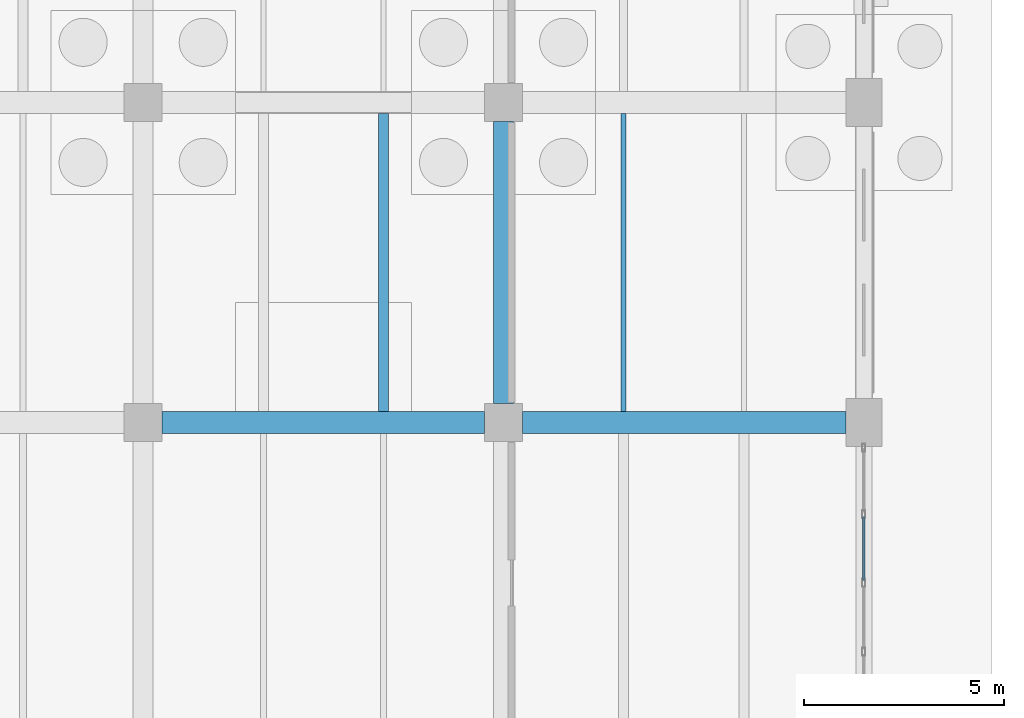
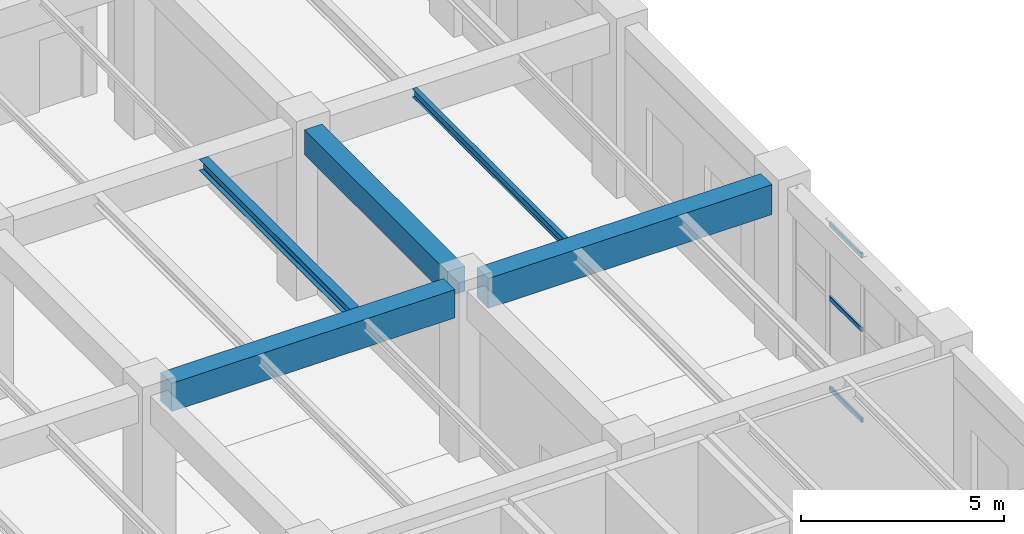
# One storey, part 75 of 121: 5 beams, 3 members, 1 element without a shape of its own.
"""IFC4 building model written with IfcOpenShell, lengths in metres."""

from ifc_helpers import new_model, si_unit, derived_unit, direction, frame, origin, origin_2d, place, context, subcontext, project, spatial, rectangle, hollow_rectangle, i_section, extrude, material, material_profile, profile_set, type_object, element, aggregate, save


model = new_model("IFC4")

# Units and contexts
model_context = context("Model", 3, precision=1e-05, world=origin(), true_north=direction((0.0, 1.0)))
body_context = subcontext(model_context, "Body", "Model", "MODEL_VIEW")
ifc_project = project(units=[si_unit("LENGTHUNIT", "METRE"), si_unit("AREAUNIT", "SQUARE_METRE"), si_unit("VOLUMEUNIT", "CUBIC_METRE"), si_unit("PLANEANGLEUNIT", "RADIAN"), si_unit("MASSUNIT", "GRAM", prefix="KILO"), derived_unit("THERMALTRANSMITTANCEUNIT", [(si_unit("MASSUNIT", "GRAM", prefix="KILO"), 1), (si_unit("TIMEUNIT", "SECOND"), -3), (si_unit("THERMODYNAMICTEMPERATUREUNIT", "KELVIN"), -1)])], contexts=[model_context])

# Site, building, storey
site_placement = place(None, origin())
site = spatial("IfcSite", under=ifc_project, at=site_placement, CompositionType="ELEMENT")
building_placement = place(site_placement, origin())
building = spatial("IfcBuilding", under=site, at=building_placement, Name="Zhenchuan Archway Interchange", CompositionType="ELEMENT")
storey_placement = place(building_placement, origin())
storey = spatial("IfcBuildingStorey", under=building, at=storey_placement, Name="L00", CompositionType="ELEMENT", Elevation=0.0)

# Beams
ifc_material_1 = material(Name="Concrete C40", Category="concrete")
ifc_material_profile_1 = material_profile(ifc_material_1, rectangle(XDim=0.5, YDim=0.75, at=origin_2d()), Name="RC 500x750")
ifc_profile_set_1 = profile_set([ifc_material_profile_1], Name="Concrete C40")
beam_type_1 = type_object("IfcBeamType", Name="BM_RC_500x750", PredefinedType="BEAM", material=ifc_profile_set_1)
beam_1_placement = place(storey_placement, frame((162.0, 72.47509765625, 4.705078125), z_axis=(0.0, 1.0, 0.0), x_axis=(-1.0, 0.0, 0.0)))
element("IfcBeam", 1, at=beam_1_placement, inside=storey, type_object=beam_type_1, Name="Beam 19:K-L (L00)", PredefinedType="BEAM", context=body_context, shape_type="SweptSolid", body=[
    extrude(rectangle(XDim=0.5, YDim=0.75, at=origin_2d()), origin(), (0.0, 0.0, 1.0), 7.0498046875),
])
ifc_material_profile_2 = material_profile(ifc_material_1, rectangle(XDim=0.550048828125, YDim=0.85009765625, at=origin_2d()), Name="RC 550x850")
ifc_profile_set_2 = profile_set([ifc_material_profile_2], Name="Concrete C40")
beam_type_2 = type_object("IfcBeamType", Name="BM_RC_550x850", PredefinedType="BEAM", material=ifc_profile_set_2)
beam_2_placement = place(storey_placement, frame((153.47509765625, 72.0, 4.655029296875), z_axis=(1.0, 0.0, 0.0), x_axis=(0.0, 1.0, 0.0)))
element("IfcBeam", 2, at=beam_2_placement, inside=storey, type_object=beam_type_2, Name="Beam K:18-19 (L00)", PredefinedType="BEAM", context=body_context, shape_type="SweptSolid", body=[
    extrude(rectangle(XDim=0.550048828125, YDim=0.85009765625, at=origin_2d()), origin(), (0.0, 0.0, 1.0), 8.0498046875),
])
ifc_material_profile_3 = material_profile(ifc_material_1, rectangle(XDim=0.550048828125, YDim=0.89990234375, at=origin_2d()), Name="RC 550x900")
ifc_profile_set_3 = profile_set([ifc_material_profile_3], Name="Concrete C40")
beam_type_3 = type_object("IfcBeamType", Name="BM_RC_550x900", PredefinedType="BEAM", material=ifc_profile_set_3)
beam_3_placement = place(storey_placement, frame((162.47509765625, 72.0, 4.6298828125), z_axis=(1.0, 0.0, 0.0), x_axis=(0.0, 1.0, 0.0)))
element("IfcBeam", 3, at=beam_3_placement, inside=storey, type_object=beam_type_3, Name="Beam K:19-20 (L00)", PredefinedType="BEAM", context=body_context, shape_type="SweptSolid", body=[
    extrude(rectangle(XDim=0.550048828125, YDim=0.89990234375, at=origin_2d()), origin(), (0.0, 0.0, 1.0), 8.074951171875),
])

# Curtain wall, members
ifc_material_2 = material(Name="Anodised Aluminium", Category="aluminium")
curtain_wall_type = type_object("IfcCurtainWallType", Name="CW_UNIT_3", PredefinedType="NOTDEFINED", material=ifc_material_2)
curtain_wall_placement = place(storey_placement, origin())
curtain_wall = element("IfcCurtainWall", 4, at=curtain_wall_placement, inside=storey, type_object=curtain_wall_type, Name="Unitised curtain wall CW:L00:014", PredefinedType="NOTDEFINED")
ifc_material_profile_4 = material_profile(ifc_material_2, hollow_rectangle(XDim=0.06005859375, YDim=0.139892578125, WallThickness=0.00341796875, InnerFilletRadius=0.00341796875, OuterFilletRadius=0.007080078125, at=origin_2d()), Name="ALU 140x60x3.5")
ifc_profile_set_4 = profile_set([ifc_material_profile_4], Name="Anodised Aluminium")
member_type = type_object("IfcMemberType", Name="CW_TRN_140", PredefinedType="USERDEFINED", material=ifc_profile_set_4)
member_1_placement = place(storey_placement, frame((171.0, 69.656005859375, 0.06005859375), z_axis=(0.0, -1.0, 0.0), x_axis=(1.0, 0.0, 0.0)))
member_1 = element("IfcMember", 5, at=member_1_placement, type_object=member_type, Name="CW:L00:014 transom 1-1", ObjectType="TRANSOM", PredefinedType="USERDEFINED", context=body_context, shape_type="SweptSolid", body=[
    extrude(hollow_rectangle(XDim=0.06005859375, YDim=0.139892578125, WallThickness=0.00341796875, InnerFilletRadius=0.00341796875, OuterFilletRadius=0.007080078125, at=origin_2d()), origin(), (0.0, 0.0, 1.0), 1.595947265625),
])
member_2_placement = place(storey_placement, frame((171.0, 69.656005859375, 2.782958984375), z_axis=(0.0, -1.0, 0.0), x_axis=(1.0, 0.0, 0.0)))
member_2 = element("IfcMember", 6, at=member_2_placement, type_object=member_type, Name="CW:L00:014 transom 1-2", ObjectType="TRANSOM", PredefinedType="USERDEFINED", context=body_context, shape_type="SweptSolid", body=[
    extrude(hollow_rectangle(XDim=0.06005859375, YDim=0.139892578125, WallThickness=0.00341796875, InnerFilletRadius=0.00341796875, OuterFilletRadius=0.007080078125, at=origin_2d()), origin(), (0.0, 0.0, 1.0), 1.595947265625),
])
member_3_placement = place(storey_placement, frame((171.0, 69.656005859375, 5.0), z_axis=(0.0, -1.0, 0.0), x_axis=(1.0, 0.0, 0.0)))
member_3 = element("IfcMember", 7, at=member_3_placement, type_object=member_type, Name="CW:L00:014 transom 1-3", ObjectType="TRANSOM", PredefinedType="USERDEFINED", context=body_context, shape_type="SweptSolid", body=[
    extrude(hollow_rectangle(XDim=0.06005859375, YDim=0.139892578125, WallThickness=0.00341796875, InnerFilletRadius=0.00341796875, OuterFilletRadius=0.007080078125, at=origin_2d()), origin(), (0.0, 0.0, 1.0), 1.595947265625),
])
aggregate(curtain_wall, [member_1, member_2, member_3])

# Beams
ifc_material_3 = material(Name="Steel Q355", Category="steel")
ifc_material_profile_5 = material_profile(ifc_material_3, i_section(OverallWidth=0.25, OverallDepth=0.340087890625, WebThickness=0.009033203125, FlangeThickness=0.013916015625, FilletRadius=0.01806640625, at=origin_2d()), Name="HM 340x250")
ifc_profile_set_5 = profile_set([ifc_material_profile_5], Name="Steel Q355")
beam_type_4 = type_object("IfcBeamType", Name="JST_STL_HM340", PredefinedType="JOIST", material=ifc_profile_set_5)
beam_4_placement = place(storey_placement, frame((159.0, 72.27490234375, 4.909912109375), z_axis=(0.0, 1.0, 0.0), x_axis=(-1.0, 0.0, 0.0)))
element("IfcBeam", 8, at=beam_4_placement, inside=storey, type_object=beam_type_4, Name="Secondary joist 18-19/K-L #2 (L00)", PredefinedType="JOIST", context=body_context, shape_type="SweptSolid", body=[
    extrude(i_section(OverallWidth=0.25, OverallDepth=0.340087890625, WebThickness=0.009033203125, FlangeThickness=0.013916015625, FilletRadius=0.01806640625, at=origin_2d()), origin(), (0.0, 0.0, 1.0), 7.4501953125),
])
ifc_material_profile_6 = material_profile(ifc_material_3, i_section(OverallWidth=0.125, OverallDepth=0.25, WebThickness=0.006103515625, FlangeThickness=0.009033203125, FilletRadius=0.011962890625, at=origin_2d()), Name="HN 250x125")
ifc_profile_set_6 = profile_set([ifc_material_profile_6], Name="Steel Q355")
beam_type_5 = type_object("IfcBeamType", Name="JST_STL_HN250", PredefinedType="JOIST", material=ifc_profile_set_6)
beam_5_placement = place(storey_placement, frame((165.0, 72.27490234375, 4.955078125), z_axis=(0.0, 1.0, 0.0), x_axis=(-1.0, 0.0, 0.0)))
element("IfcBeam", 9, at=beam_5_placement, inside=storey, type_object=beam_type_5, Name="Secondary joist 19-20/K-L #1 (L00)", PredefinedType="JOIST", context=body_context, shape_type="SweptSolid", body=[
    extrude(i_section(OverallWidth=0.125, OverallDepth=0.25, WebThickness=0.006103515625, FlangeThickness=0.009033203125, FilletRadius=0.011962890625, at=origin_2d()), origin(), (0.0, 0.0, 1.0), 7.4501953125),
])

save(model, "model.ifc")
